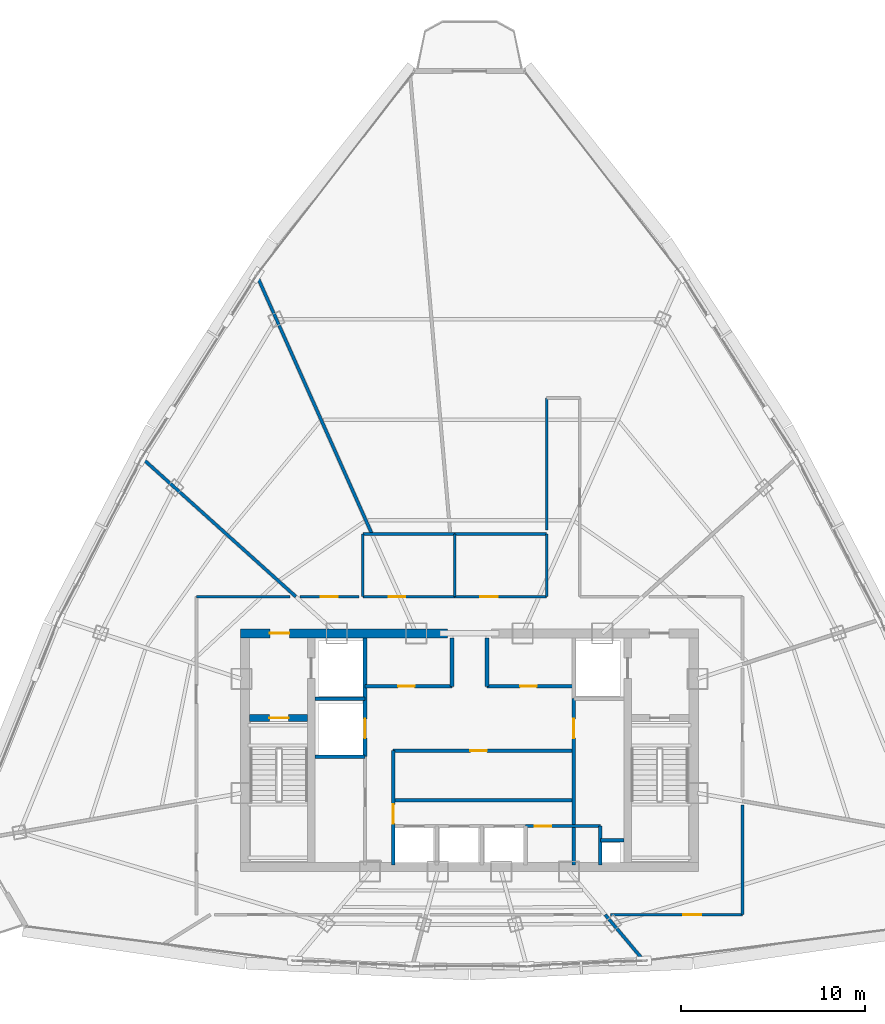
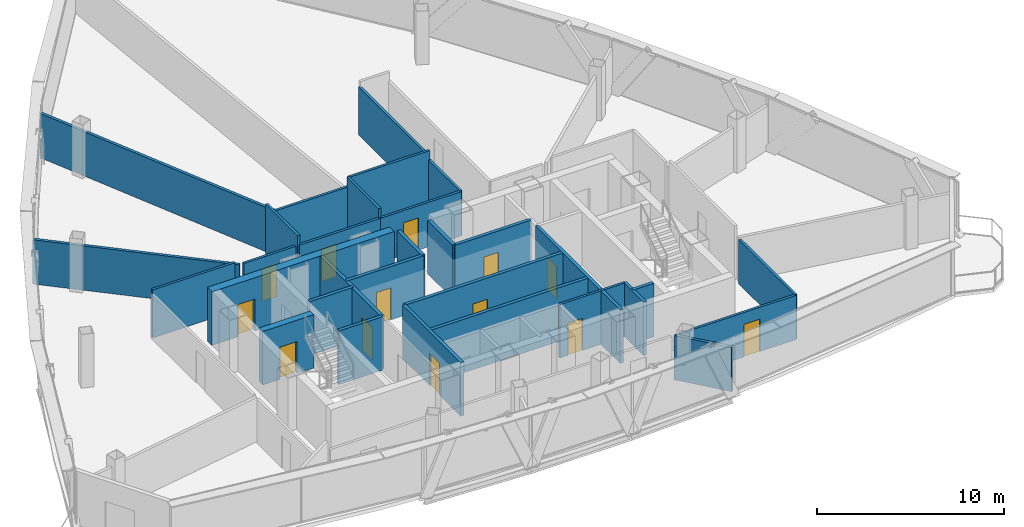
# One storey, part 26 of 30: 31 walls, 13 doors, 13 openings.
"""IFC4 building model written with IfcOpenShell, lengths in metres."""

from ifc_helpers import new_model, si_unit, direction, frame, frame_2d, origin, origin_with_axes, place, context, subcontext, project, spatial, rectangle, extrude, source, transform, mapped, material, layer, layer_set, type_object, element, fill, save


model = new_model("IFC4")

# Units and contexts
model_context = context("Model", 3, precision=1e-05, world=origin(), true_north=direction((0.0, 1.0)))
body_context = subcontext(model_context, "Body", "Model", "MODEL_VIEW")
ifc_project = project(units=[si_unit("LENGTHUNIT", "METRE"), si_unit("AREAUNIT", "SQUARE_METRE"), si_unit("VOLUMEUNIT", "CUBIC_METRE"), si_unit("PLANEANGLEUNIT", "RADIAN"), si_unit("MASSUNIT", "GRAM", prefix="KILO"), si_unit("THERMODYNAMICTEMPERATUREUNIT", "KELVIN"), si_unit("POWERUNIT", "WATT")], contexts=[model_context])

# Site, building, storey
site_placement = place(None, origin())
site = spatial("IfcSite", under=ifc_project, at=site_placement, CompositionType="ELEMENT")
building_placement = place(site_placement, origin())
building = spatial("IfcBuilding", under=site, at=building_placement, Name="Yunzhuo Pagoda Commons", CompositionType="ELEMENT")
storey_placement = place(building_placement, frame((0.0, 0.0, 351.760009765625)))
storey = spatial("IfcBuildingStorey", under=building, at=storey_placement, Name="L88", CompositionType="ELEMENT", Elevation=351.760009765625)

# Wall, opening, door
ifc_material_1 = material(Name="Concrete C50", Category="concrete")
ifc_layer_1 = layer(ifc_material_1, 0.5)
ifc_layer_set_1 = layer_set([ifc_layer_1], Name="Concrete C50")
wall_type_1 = type_object("IfcWallType", Name="W-C03 Upper Core Shear Wall 500", PredefinedType="SHEAR", material=ifc_layer_set_1)
wall_1_placement = place(storey_placement, frame((35.550048828125, 40.199951171875, 0.0), z_axis=(0.0, 0.0, 1.0), x_axis=(1.0, 0.0, 0.0)))
wall_1 = element("IfcWall", 1, at=wall_1_placement, inside=storey, type_object=wall_type_1, Name="L88 core shear wall NW", PredefinedType="SHEAR", context=body_context, shape_type="SweptSolid", body=[
    extrude(rectangle(XDim=11.25, YDim=0.5, at=frame_2d((5.625, 0.0))), origin(), (0.0, 0.0, 1.0), 3.489990234375),
])
opening_1_placement = place(wall_1_placement, frame((1.60009765625, 0.0, 0.0)))
opening_1 = element("IfcOpeningElement", 2, at=opening_1_placement, cuts=wall_1, Name="Opening D-02", PredefinedType="OPENING", context=body_context, shape_type="SweptSolid", body=[
    extrude(rectangle(XDim=1.050048828125, YDim=2.10009765625, at=frame_2d((0.52490234375, 1.050048828125))), frame((0.0, 0.260009765625, 0.0), z_axis=(0.0, -1.0, 0.0), x_axis=(1.0, 0.0, 0.0)), (0.0, 0.0, 1.0), 0.52001953125),
])
ifc_material_2 = material(Name="Galvanized fire-resisting metal leaf")
door_type_1 = type_object("IfcDoorType", Name="D-02 Firefighting Lobby & Refuge Fire Door 1050x2100", OperationType="NOTDEFINED", PredefinedType="DOOR", material=ifc_material_2)
shared_shape_1 = source(origin(), body_context, "Body", "SweptSolid", [
    extrude(rectangle(XDim=1.050048828125, YDim=2.10009765625, at=frame_2d((0.52490234375, 1.050048828125))), frame((0.0, 0.02490234375, 0.0), z_axis=(0.0, -1.0, 0.0), x_axis=(1.0, 0.0, 0.0)), (0.0, 0.0, 1.0), 0.050048828125),
])
door_1_placement = place(opening_1_placement, frame((1.050048828125, 0.0, 0.0), z_axis=(0.0, 0.0, 1.0), x_axis=(-1.0, 0.0, 0.0)))
door_1 = element("IfcDoor", 3, at=door_1_placement, inside=storey, type_object=door_type_1, Name="L88 Firefighting Lobby 1 fire door", OperationType="SINGLE_SWING_LEFT", OverallHeight=2.10009765625, OverallWidth=1.050048828125, PredefinedType="DOOR", context=body_context, shape_type="MappedRepresentation", body=[
    mapped(shared_shape_1, transform((0.0, 0.0, 0.0), scale=1.0)),
])
fill(opening_1, door_1)

ifc_material_3 = material(Name="Gypsum plasterboard on acoustic stud")
ifc_layer_2 = layer(ifc_material_3, 0.14990234375)
ifc_layer_set_2 = layer_set([ifc_layer_2], Name="Gypsum plasterboard on acoustic stud")
wall_type_2 = type_object("IfcWallType", Name="W-COR3 High-Zone Rated Corridor Wall 150", PredefinedType="PARTITIONING", material=ifc_layer_set_2)
wall_2_placement = place(storey_placement, frame((51.050048828125, 29.719970703125, 0.0), z_axis=(0.0, 0.0, 1.0), x_axis=(1.0, 0.0, 0.0)))
wall_2 = element("IfcWall", 4, at=wall_2_placement, inside=storey, type_object=wall_type_2, Name="L88 interior wall IW-L88-CSES", PredefinedType="PARTITIONING", context=body_context, shape_type="SweptSolid", body=[
    extrude(rectangle(XDim=4.070068359375, YDim=0.14990234375, at=frame_2d((2.03515625, 0.0))), origin(), (0.0, 0.0, 1.0), 3.489990234375),
])
opening_2_placement = place(wall_2_placement, frame((0.5, 0.0, 0.0)))
opening_2 = element("IfcOpeningElement", 5, at=opening_2_placement, cuts=wall_2, Name="Opening D-03", PredefinedType="OPENING", context=body_context, shape_type="SweptSolid", body=[
    extrude(rectangle(XDim=0.89990234375, YDim=2.10009765625, at=frame_2d((0.449951171875, 1.050048828125))), frame((0.0, 0.0849609375, 0.0), z_axis=(0.0, -1.0, 0.0), x_axis=(1.0, 0.0, 0.0)), (0.0, 0.0, 1.0), 0.169921875),
])
door_type_2 = type_object("IfcDoorType", Name="D-03 Core Service Fire Door 900x2100", OperationType="NOTDEFINED", PredefinedType="DOOR", material=ifc_material_2)
shared_shape_2 = source(origin(), body_context, "Body", "SweptSolid", [
    extrude(rectangle(XDim=0.89990234375, YDim=2.10009765625, at=frame_2d((0.449951171875, 1.050048828125))), frame((0.0, 0.02490234375, 0.0), z_axis=(0.0, -1.0, 0.0), x_axis=(1.0, 0.0, 0.0)), (0.0, 0.0, 1.0), 0.050048828125),
])
door_2_placement = place(opening_2_placement, origin_with_axes())
door_2 = element("IfcDoor", 6, at=door_2_placement, inside=storey, type_object=door_type_2, Name="L88 cleaner store door", OperationType="SINGLE_SWING_LEFT", OverallHeight=2.10009765625, OverallWidth=0.89990234375, PredefinedType="DOOR", context=body_context, shape_type="MappedRepresentation", body=[
    mapped(shared_shape_2, transform((0.0, 0.0, 0.0), scale=1.0)),
])
fill(opening_2, door_2)

wall_3_placement = place(storey_placement, frame((42.199951171875, 42.199951171875, 0.0), z_axis=(0.0, 0.0, 1.0), x_axis=(1.0, 0.0, 0.0)))
wall_3 = element("IfcWall", 7, at=wall_3_placement, inside=storey, type_object=wall_type_2, Name="L88 interior wall IW-L88-TFWS", PredefinedType="PARTITIONING", context=body_context, shape_type="SweptSolid", body=[
    extrude(rectangle(XDim=5.0, YDim=0.14990234375, at=frame_2d((2.5, 0.0))), origin(), (0.0, 0.0, 1.0), 2.889892578125),
])
opening_3_placement = place(wall_3_placement, frame((1.39990234375, 0.0, 0.0)))
opening_3 = element("IfcOpeningElement", 8, at=opening_3_placement, cuts=wall_3, Name="Opening D-04", PredefinedType="OPENING", context=body_context, shape_type="SweptSolid", body=[
    extrude(rectangle(XDim=0.919921875, YDim=2.10009765625, at=frame_2d((0.4599609375, 1.050048828125))), frame((0.0, 0.0849609375, 0.0), z_axis=(0.0, -1.0, 0.0), x_axis=(1.0, 0.0, 0.0)), (0.0, 0.0, 1.0), 0.169921875),
])
ifc_material_4 = material(Name="Powder-coated aluminium and timber acoustic leaf", Category="wood")
door_type_3 = type_object("IfcDoorType", Name="D-04 Bedroom & Study Interior Door 920x2100", OperationType="NOTDEFINED", PredefinedType="DOOR", material=ifc_material_4)
shared_shape_3 = source(origin(), body_context, "Body", "SweptSolid", [
    extrude(rectangle(XDim=0.919921875, YDim=2.10009765625, at=frame_2d((0.4599609375, 1.050048828125))), frame((0.0, 0.02490234375, 0.0), z_axis=(0.0, -1.0, 0.0), x_axis=(1.0, 0.0, 0.0)), (0.0, 0.0, 1.0), 0.050048828125),
])
door_3_placement = place(opening_3_placement, frame((0.919921875, 0.0, 0.0), z_axis=(0.0, 0.0, 1.0), x_axis=(-1.0, 0.0, 0.0)))
door_3 = element("IfcDoor", 9, at=door_3_placement, inside=storey, type_object=door_type_3, Name="L88 laundry door", OperationType="SINGLE_SWING_LEFT", OverallHeight=2.10009765625, OverallWidth=0.919921875, PredefinedType="DOOR", context=body_context, shape_type="MappedRepresentation", body=[
    mapped(shared_shape_3, transform((0.0, 0.0, 0.0), scale=1.0)),
])
fill(opening_3, door_3)

# Walls
wall_4_placement = place(storey_placement, frame((42.199951171875, 45.60009765625, 0.0), z_axis=(0.0, 0.0, 1.0), x_axis=(1.0, 0.0, 0.0)))
element("IfcWall", 10, at=wall_4_placement, inside=storey, type_object=wall_type_2, Name="L88 interior wall IW-L88-TFWN", PredefinedType="PARTITIONING", context=body_context, shape_type="SweptSolid", body=[
    extrude(rectangle(XDim=5.0, YDim=0.14990234375, at=frame_2d((2.5, 0.0))), origin(), (0.0, 0.0, 1.0), 2.889892578125),
])
wall_5_placement = place(storey_placement, frame((42.199951171875, 42.199951171875, 0.0), z_axis=(0.0, 0.0, 1.0), x_axis=(0.0, 1.0, 0.0)))
element("IfcWall", 11, at=wall_5_placement, inside=storey, type_object=wall_type_2, Name="L88 interior wall IW-L88-TFWW", PredefinedType="PARTITIONING", context=body_context, shape_type="SweptSolid", body=[
    extrude(rectangle(XDim=3.400146484375, YDim=0.14990234375, at=frame_2d((1.7001953125, 0.0))), origin(), (0.0, 0.0, 1.0), 3.489990234375),
])

# Wall, opening, door
wall_6_placement = place(storey_placement, frame((47.199951171875, 42.199951171875, 0.0), z_axis=(0.0, 0.0, 1.0), x_axis=(1.0, 0.0, 0.0)))
wall_6 = element("IfcWall", 12, at=wall_6_placement, inside=storey, type_object=wall_type_2, Name="L88 interior wall IW-L88-TFES", PredefinedType="PARTITIONING", context=body_context, shape_type="SweptSolid", body=[
    extrude(rectangle(XDim=5.0, YDim=0.14990234375, at=frame_2d((2.5, 0.0))), origin(), (0.0, 0.0, 1.0), 2.889892578125),
])
opening_4_placement = place(wall_6_placement, frame((1.39990234375, 0.0, 0.0)))
opening_4 = element("IfcOpeningElement", 13, at=opening_4_placement, cuts=wall_6, Name="Opening D-11", PredefinedType="OPENING", context=body_context, shape_type="SweptSolid", body=[
    extrude(rectangle(XDim=0.93994140625, YDim=2.10009765625, at=frame_2d((0.469970703125, 1.050048828125))), frame((0.0, 0.0849609375, 0.0), z_axis=(0.0, -1.0, 0.0), x_axis=(1.0, 0.0, 0.0)), (0.0, 0.0, 1.0), 0.169921875),
])
door_type_4 = type_object("IfcDoorType", Name="D-11 Accessible Washroom Fire Door 940x2100", OperationType="NOTDEFINED", PredefinedType="DOOR", material=ifc_material_2)
shared_shape_4 = source(origin(), body_context, "Body", "SweptSolid", [
    extrude(rectangle(XDim=0.93994140625, YDim=2.10009765625, at=frame_2d((0.469970703125, 1.050048828125))), frame((0.0, 0.02490234375, 0.0), z_axis=(0.0, -1.0, 0.0), x_axis=(1.0, 0.0, 0.0)), (0.0, 0.0, 1.0), 0.050048828125),
])
door_4_placement = place(opening_4_placement, frame((0.93994140625, 0.0, 0.0), z_axis=(0.0, 0.0, 1.0), x_axis=(-1.0, 0.0, 0.0)))
door_4 = element("IfcDoor", 14, at=door_4_placement, inside=storey, type_object=door_type_4, Name="L88 accessible WC door", OperationType="SINGLE_SWING_RIGHT", OverallHeight=2.10009765625, OverallWidth=0.93994140625, PredefinedType="DOOR", context=body_context, shape_type="MappedRepresentation", body=[
    mapped(shared_shape_4, transform((0.0, 0.0, 0.0), scale=1.0)),
])
fill(opening_4, door_4)

# Walls
wall_7_placement = place(storey_placement, frame((47.199951171875, 45.60009765625, 0.0), z_axis=(0.0, 0.0, 1.0), x_axis=(1.0, 0.0, 0.0)))
element("IfcWall", 15, at=wall_7_placement, inside=storey, type_object=wall_type_2, Name="L88 interior wall IW-L88-TFEN", PredefinedType="PARTITIONING", context=body_context, shape_type="SweptSolid", body=[
    extrude(rectangle(XDim=5.0, YDim=0.14990234375, at=frame_2d((2.5, 0.0))), origin(), (0.0, 0.0, 1.0), 3.489990234375),
])
wall_8_placement = place(storey_placement, frame((47.199951171875, 42.199951171875, 0.0), z_axis=(0.0, 0.0, 1.0), x_axis=(0.0, 1.0, 0.0)))
element("IfcWall", 16, at=wall_8_placement, inside=storey, type_object=wall_type_2, Name="L88 interior wall IW-L88-TFEW", PredefinedType="PARTITIONING", context=body_context, shape_type="SweptSolid", body=[
    extrude(rectangle(XDim=3.400146484375, YDim=0.14990234375, at=frame_2d((1.7001953125, 0.0))), origin(), (0.0, 0.0, 1.0), 3.489990234375),
])
wall_9_placement = place(storey_placement, frame((52.199951171875, 42.199951171875, 0.0), z_axis=(0.0, 0.0, 1.0), x_axis=(0.0, 1.0, 0.0)))
element("IfcWall", 17, at=wall_9_placement, inside=storey, type_object=wall_type_2, Name="L88 interior wall IW-L88-TFEE", PredefinedType="PARTITIONING", context=body_context, shape_type="SweptSolid", body=[
    extrude(rectangle(XDim=3.400146484375, YDim=0.14990234375, at=frame_2d((1.7001953125, 0.0))), origin(), (0.0, 0.0, 1.0), 2.889892578125),
])
wall_10_placement = place(storey_placement, frame((33.14990234375, 42.199951171875, 0.0), z_axis=(0.0, 0.0, 1.0), x_axis=(1.0, 0.0, 0.0)))
element("IfcWall", 18, at=wall_10_placement, inside=storey, type_object=wall_type_2, Name="L88 interior wall IW-L88-CWL03", PredefinedType="PARTITIONING", context=body_context, shape_type="SweptSolid", body=[
    extrude(rectangle(XDim=5.0810546875, YDim=0.14990234375, at=frame_2d((2.54052734375, 0.0))), origin(), (0.0, 0.0, 1.0), 3.139892578125),
])

# Wall, opening, door
wall_11_placement = place(storey_placement, frame((38.779541015625, 42.199951171875, 0.0), z_axis=(0.0, 0.0, 1.0), x_axis=(1.0, 0.0, 0.0)))
wall_11 = element("IfcWall", 19, at=wall_11_placement, inside=storey, type_object=wall_type_2, Name="L88 interior wall IW-L88-CWL04", PredefinedType="PARTITIONING", context=body_context, shape_type="SweptSolid", body=[
    extrude(rectangle(XDim=3.200439453125, YDim=0.14990234375, at=frame_2d((1.60009765625, 0.0))), origin(), (0.0, 0.0, 1.0), 2.889892578125),
])
opening_5_placement = place(wall_11_placement, frame((1.140380859375, 0.0, 0.0)))
opening_5 = element("IfcOpeningElement", 20, at=opening_5_placement, cuts=wall_11, Name="Opening D-04", PredefinedType="OPENING", context=body_context, shape_type="SweptSolid", body=[
    extrude(rectangle(XDim=0.919921875, YDim=2.10009765625, at=frame_2d((0.4599609375, 1.050048828125))), frame((0.0, 0.0849609375, 0.0), z_axis=(0.0, -1.0, 0.0), x_axis=(1.0, 0.0, 0.0)), (0.0, 0.0, 1.0), 0.169921875),
])
door_5_placement = place(opening_5_placement, origin_with_axes())
door_5 = element("IfcDoor", 21, at=door_5_placement, inside=storey, type_object=door_type_3, Name="L88 seminar room 05 door", OperationType="SINGLE_SWING_LEFT", OverallHeight=2.10009765625, OverallWidth=0.919921875, PredefinedType="DOOR", context=body_context, shape_type="MappedRepresentation", body=[
    mapped(shared_shape_3, transform((0.0, 0.0, 0.0), scale=1.0)),
])
fill(opening_5, door_5)

# Walls
wall_12_placement = place(storey_placement, frame((52.199951171875, 45.820068359375, 0.0), z_axis=(0.0, 0.0, 1.0), x_axis=(0.0, 1.0, 0.0)))
element("IfcWall", 22, at=wall_12_placement, inside=storey, type_object=wall_type_2, Name="L88 interior wall IW-L88-CWL05", PredefinedType="PARTITIONING", context=body_context, shape_type="SweptSolid", body=[
    extrude(rectangle(XDim=7.179931640625, YDim=0.14990234375, at=frame_2d((3.58984375, 0.0))), origin(), (0.0, 0.0, 1.0), 3.139892578125),
])
wall_13_placement = place(storey_placement, frame((62.85009765625, 30.858154296875, 0.0), z_axis=(0.0, 0.0, 1.0), x_axis=(0.0, -1.0, 0.0)))
element("IfcWall", 23, at=wall_13_placement, inside=storey, type_object=wall_type_2, Name="L88 interior wall IW-L88-CWL12", PredefinedType="PARTITIONING", context=body_context, shape_type="SweptSolid", body=[
    extrude(rectangle(XDim=5.958251953125, YDim=0.14990234375, at=frame_2d((2.97900390625, 0.0))), origin(), (0.0, 0.0, 1.0), 2.889892578125),
])

# Wall, opening, door
wall_14_placement = place(storey_placement, frame((62.85009765625, 24.89990234375, 0.0), z_axis=(0.0, 0.0, 1.0), x_axis=(-1.0, 0.0, 0.0)))
wall_14 = element("IfcWall", 24, at=wall_14_placement, inside=storey, type_object=wall_type_2, Name="L88 interior wall IW-L88-CWL13", PredefinedType="PARTITIONING", context=body_context, shape_type="SweptSolid", body=[
    extrude(rectangle(XDim=7.1787109375, YDim=0.14990234375, at=frame_2d((3.58935546875, 0.0))), origin(), (0.0, 0.0, 1.0), 2.889892578125),
])
opening_6_placement = place(wall_14_placement, frame((2.250244140625, 0.0, 0.0)))
opening_6 = element("IfcOpeningElement", 25, at=opening_6_placement, cuts=wall_14, Name="Opening D-08", PredefinedType="OPENING", context=body_context, shape_type="SweptSolid", body=[
    extrude(rectangle(XDim=0.97998046875, YDim=2.1201171875, at=frame_2d((0.489990234375, 1.06005859375))), frame((0.0, 0.0849609375, 0.0), z_axis=(0.0, -1.0, 0.0), x_axis=(1.0, 0.0, 0.0)), (0.0, 0.0, 1.0), 0.169921875),
])
door_type_5 = type_object("IfcDoorType", Name="D-08 High-Zone Suite Entrance Fire Door 980x2120", OperationType="NOTDEFINED", PredefinedType="DOOR", material=ifc_material_2)
shared_shape_5 = source(origin(), body_context, "Body", "SweptSolid", [
    extrude(rectangle(XDim=0.97998046875, YDim=2.1201171875, at=frame_2d((0.489990234375, 1.06005859375))), frame((0.0, 0.02490234375, 0.0), z_axis=(0.0, -1.0, 0.0), x_axis=(1.0, 0.0, 0.0)), (0.0, 0.0, 1.0), 0.050048828125),
])
door_6_placement = place(opening_6_placement, origin_with_axes())
door_6 = element("IfcDoor", 26, at=door_6_placement, inside=storey, type_object=door_type_5, Name="L88 unit 10 entrance door", OperationType="SINGLE_SWING_RIGHT", OverallHeight=2.1201171875, OverallWidth=0.97998046875, PredefinedType="DOOR", context=body_context, shape_type="MappedRepresentation", body=[
    mapped(shared_shape_5, transform((0.0, 0.0, 0.0), scale=1.0)),
])
fill(opening_6, door_6)

# Walls
ifc_layer_3 = layer(ifc_material_3, 0.169921875)
ifc_layer_set_3 = layer_set([ifc_layer_3], Name="Gypsum plasterboard on acoustic stud")
wall_type_3 = type_object("IfcWallType", Name="W-PRT4 High-Zone Demising Wall 170", PredefinedType="PARTITIONING", material=ifc_layer_set_3)
wall_15_placement = place(storey_placement, frame((42.701904296875, 45.60009765625, 0.0), z_axis=(0.0, 0.0, 1.0), x_axis=(-0.40675369263, 0.913537866501, 0.0)))
element("IfcWall", 27, at=wall_15_placement, inside=storey, type_object=wall_type_3, Name="L88 interior wall IW-L88-RAD04", PredefinedType="PARTITIONING", context=body_context, shape_type="SweptSolid", body=[
    extrude(rectangle(XDim=15.425048828125, YDim=0.169921875, at=frame_2d((7.71240234375, 0.0))), origin(), (0.0, 0.0, 1.0), 2.889892578125),
])
wall_16_placement = place(storey_placement, frame((38.559814453125, 42.199951171875, 0.0), z_axis=(0.0, 0.0, 1.0), x_axis=(-0.74314133574, 0.669134482085, 0.0)))
element("IfcWall", 28, at=wall_16_placement, inside=storey, type_object=wall_type_3, Name="L88 interior wall IW-L88-RAD05", PredefinedType="PARTITIONING", context=body_context, shape_type="SweptSolid", body=[
    extrude(rectangle(XDim=11.2822265625, YDim=0.169921875, at=frame_2d((5.64111328125, 0.0))), origin(), (0.0, 0.0, 1.0), 2.889892578125),
])
wall_17_placement = place(storey_placement, frame((55.384033203125, 24.89990234375, 0.0), z_axis=(0.0, 0.0, 1.0), x_axis=(0.642829818613, -0.766009023642, 0.0)))
element("IfcWall", 29, at=wall_17_placement, inside=storey, type_object=wall_type_3, Name="L88 interior wall IW-L88-RAD09", PredefinedType="PARTITIONING", context=body_context, shape_type="SweptSolid", body=[
    extrude(rectangle(XDim=3.272216796875, YDim=0.169921875, at=frame_2d((1.63623046875, 0.0))), origin(), (0.0, 0.0, 1.0), 2.889892578125),
])

# Wall, opening, door
ifc_material_5 = material(Name="Concrete C60", Category="concrete")
ifc_layer_4 = layer(ifc_material_5, 0.39990234375)
ifc_layer_set_4 = layer_set([ifc_layer_4], Name="Concrete C60")
wall_type_4 = type_object("IfcWallType", Name="W-S01 Internal Core Shear Web 400", PredefinedType="SHEAR", material=ifc_layer_set_4)
wall_18_placement = place(storey_placement, frame((36.050048828125, 35.60009765625, 0.0), z_axis=(0.0, 0.0, 1.0), x_axis=(1.0, 0.0, 0.0)))
wall_18 = element("IfcWall", 30, at=wall_18_placement, inside=storey, type_object=wall_type_4, Name="L88 core shear wall STW", PredefinedType="SHEAR", context=body_context, shape_type="SweptSolid", body=[
    extrude(rectangle(XDim=3.14990234375, YDim=0.39990234375, at=frame_2d((1.574951171875, 0.0))), origin(), (0.0, 0.0, 1.0), 3.489990234375),
])
opening_7_placement = place(wall_18_placement, frame((1.070068359375, 0.0, 0.0)))
opening_7 = element("IfcOpeningElement", 31, at=opening_7_placement, cuts=wall_18, Name="Opening D-01", PredefinedType="OPENING", context=body_context, shape_type="SweptSolid", body=[
    extrude(rectangle(XDim=1.050048828125, YDim=2.10009765625, at=frame_2d((0.52490234375, 1.050048828125))), frame((0.0, 0.2099609375, 0.0), z_axis=(0.0, -1.0, 0.0), x_axis=(1.0, 0.0, 0.0)), (0.0, 0.0, 1.0), 0.419921875),
])
door_type_6 = type_object("IfcDoorType", Name="D-01 Smokeproof Stair Fire Door 1050x2100", OperationType="NOTDEFINED", PredefinedType="DOOR", material=ifc_material_2)
door_7_placement = place(opening_7_placement, frame((1.050048828125, 0.0, 0.0), z_axis=(0.0, 0.0, 1.0), x_axis=(-1.0, 0.0, 0.0)))
door_7 = element("IfcDoor", 32, at=door_7_placement, inside=storey, type_object=door_type_6, Name="L88 Stair ST1 fire door", OperationType="SINGLE_SWING_LEFT", OverallHeight=2.10009765625, OverallWidth=1.050048828125, PredefinedType="DOOR", context=body_context, shape_type="MappedRepresentation", body=[
    mapped(shared_shape_1, transform((0.0, 0.0, 0.0), scale=1.0)),
])
fill(opening_7, door_7)

ifc_material_6 = material(Name="Concrete C40", Category="concrete")
ifc_layer_5 = layer(ifc_material_6, 0.199951171875)
ifc_layer_set_5 = layer_set([ifc_layer_5], Name="Concrete C40")
wall_type_5 = type_object("IfcWallType", Name="W-SHF Shaft & Stair Enclosure Wall 200", PredefinedType="SOLIDWALL", material=ifc_layer_set_5)
wall_19_placement = place(storey_placement, frame((42.320068359375, 33.5, 0.0), z_axis=(0.0, 0.0, 1.0), x_axis=(0.0, 1.0, 0.0)))
wall_19 = element("IfcWall", 33, at=wall_19_placement, inside=storey, type_object=wall_type_5, Name="L88 interior wall IW-L88-FL1E", PredefinedType="SOLIDWALL", context=body_context, shape_type="SweptSolid", body=[
    extrude(rectangle(XDim=6.449951171875, YDim=0.199951171875, at=frame_2d((3.22509765625, 0.0))), origin(), (0.0, 0.0, 1.0), 3.489990234375),
])
opening_8_placement = place(wall_19_placement, frame((1.0, 0.0, 0.0)))
opening_8 = element("IfcOpeningElement", 34, at=opening_8_placement, cuts=wall_19, Name="Opening LD-02", PredefinedType="OPENING", context=body_context, shape_type="SweptSolid", body=[
    extrude(rectangle(XDim=1.050048828125, YDim=2.10009765625, at=frame_2d((0.52490234375, 1.050048828125))), frame((0.0, 0.10986328125, 0.0), z_axis=(0.0, -1.0, 0.0), x_axis=(1.0, 0.0, 0.0)), (0.0, 0.0, 1.0), 0.219970703125),
])
door_type_7 = type_object("IfcDoorType", Name="LD-02 Passenger Lift Landing Door 1050x2100", OperationType="DOUBLE_DOOR_SLIDING", PredefinedType="DOOR", material=ifc_material_2)
door_8_placement = place(opening_8_placement, origin_with_axes())
door_8 = element("IfcDoor", 35, at=door_8_placement, inside=storey, type_object=door_type_7, Name="L88 Service lift SL-1 landing door", OperationType="DOUBLE_DOOR_SLIDING", OverallHeight=2.10009765625, OverallWidth=1.050048828125, PredefinedType="DOOR", context=body_context, shape_type="MappedRepresentation", body=[
    mapped(shared_shape_1, transform((0.0, 0.0, 0.0), scale=1.0)),
])
fill(opening_8, door_8)

# Walls
for number, where, z_axis, x_axis, name in (
    (36, (39.60009765625, 36.64990234375, 0.0), (0.0, 0.0, 1.0), (1.0, 0.0, 0.0), "L88 interior wall IW-L88-FL1S"),
    (37, (39.60009765625, 33.5, 0.0), (0.0, 0.0, 1.0), (1.0, 0.0, 0.0), "L88 interior wall IW-L88-SL1S"),
):
    element("IfcWall", number, at=place(storey_placement, frame(where, z_axis=z_axis, x_axis=x_axis)), inside=storey, type_object=wall_type_5, Name=name, PredefinedType="SOLIDWALL", context=body_context, shape_type="SweptSolid", body=[
        extrude(rectangle(XDim=2.719970703125, YDim=0.199951171875, at=frame_2d((1.35986328125, 0.0))), origin(), (0.0, 0.0, 1.0), 3.489990234375),
    ])

# Wall, opening, door
wall_20_placement = place(storey_placement, frame((42.320068359375, 37.320068359375, 0.0), z_axis=(0.0, 0.0, 1.0), x_axis=(1.0, 0.0, 0.0)))
wall_20 = element("IfcWall", 38, at=wall_20_placement, inside=storey, type_object=wall_type_5, Name="L88 interior wall IW-L88-LBNW", PredefinedType="SOLIDWALL", context=body_context, shape_type="SweptSolid", body=[
    extrude(rectangle(XDim=4.72998046875, YDim=0.199951171875, at=frame_2d((2.364990234375, 0.0))), origin(), (0.0, 0.0, 1.0), 3.489990234375),
])
opening_9_placement = place(wall_20_placement, frame((1.800048828125, 0.0, 0.0)))
opening_9 = element("IfcOpeningElement", 39, at=opening_9_placement, cuts=wall_20, Name="Opening D-03", PredefinedType="OPENING", context=body_context, shape_type="SweptSolid", body=[
    extrude(rectangle(XDim=0.89990234375, YDim=2.10009765625, at=frame_2d((0.449951171875, 1.050048828125))), frame((0.0, 0.10986328125, 0.0), z_axis=(0.0, -1.0, 0.0), x_axis=(1.0, 0.0, 0.0)), (0.0, 0.0, 1.0), 0.219970703125),
])
door_9_placement = place(opening_9_placement, frame((0.89990234375, 0.0, 0.0), z_axis=(0.0, 0.0, 1.0), x_axis=(-1.0, 0.0, 0.0)))
door_9 = element("IfcDoor", 40, at=door_9_placement, inside=storey, type_object=door_type_2, Name="L88 core west store door", OperationType="SINGLE_SWING_LEFT", OverallHeight=2.10009765625, OverallWidth=0.89990234375, PredefinedType="DOOR", context=body_context, shape_type="MappedRepresentation", body=[
    mapped(shared_shape_2, transform((0.0, 0.0, 0.0), scale=1.0)),
])
fill(opening_9, door_9)

wall_21_placement = place(storey_placement, frame((48.949951171875, 37.320068359375, 0.0), z_axis=(0.0, 0.0, 1.0), x_axis=(1.0, 0.0, 0.0)))
wall_21 = element("IfcWall", 41, at=wall_21_placement, inside=storey, type_object=wall_type_5, Name="L88 interior wall IW-L88-LBNE", PredefinedType="SOLIDWALL", context=body_context, shape_type="SweptSolid", body=[
    extrude(rectangle(XDim=4.72998046875, YDim=0.199951171875, at=frame_2d((2.364990234375, 0.0))), origin(), (0.0, 0.0, 1.0), 3.489990234375),
])
opening_10_placement = place(wall_21_placement, frame((1.800048828125, 0.0, 0.0)))
opening_10 = element("IfcOpeningElement", 42, at=opening_10_placement, cuts=wall_21, Name="Opening D-03", PredefinedType="OPENING", context=body_context, shape_type="SweptSolid", body=[
    extrude(rectangle(XDim=0.89990234375, YDim=2.10009765625, at=frame_2d((0.449951171875, 1.050048828125))), frame((0.0, 0.10986328125, 0.0), z_axis=(0.0, -1.0, 0.0), x_axis=(1.0, 0.0, 0.0)), (0.0, 0.0, 1.0), 0.219970703125),
])
door_10_placement = place(opening_10_placement, frame((0.89990234375, 0.0, 0.0), z_axis=(0.0, 0.0, 1.0), x_axis=(-1.0, 0.0, 0.0)))
door_10 = element("IfcDoor", 43, at=door_10_placement, inside=storey, type_object=door_type_2, Name="L88 core east store door", OperationType="SINGLE_SWING_RIGHT", OverallHeight=2.10009765625, OverallWidth=0.89990234375, PredefinedType="DOOR", context=body_context, shape_type="MappedRepresentation", body=[
    mapped(shared_shape_2, transform((0.0, 0.0, 0.0), scale=1.0)),
])
fill(opening_10, door_10)

# Walls
for number, where, z_axis, x_axis, name in (
    (44, (47.050048828125, 37.320068359375, 0.0), (0.0, 0.0, 1.0), (0.0, 1.0, 0.0), "L88 interior wall IW-L88-THRW"),
    (45, (48.949951171875, 37.320068359375, 0.0), (0.0, 0.0, 1.0), (0.0, 1.0, 0.0), "L88 interior wall IW-L88-THRE"),
):
    element("IfcWall", number, at=place(storey_placement, frame(where, z_axis=z_axis, x_axis=x_axis)), inside=storey, type_object=wall_type_5, Name=name, PredefinedType="SOLIDWALL", context=body_context, shape_type="SweptSolid", body=[
        extrude(rectangle(XDim=2.6298828125, YDim=0.199951171875, at=frame_2d((1.31494140625, 0.0))), origin(), (0.0, 0.0, 1.0), 3.489990234375),
    ])

# Wall, opening, door
wall_22_placement = place(storey_placement, frame((43.85009765625, 33.820068359375, 0.0), z_axis=(0.0, 0.0, 1.0), x_axis=(1.0, 0.0, 0.0)))
wall_22 = element("IfcWall", 46, at=wall_22_placement, inside=storey, type_object=wall_type_5, Name="L88 interior wall IW-L88-MLBS", PredefinedType="SOLIDWALL", context=body_context, shape_type="SweptSolid", body=[
    extrude(rectangle(XDim=9.829833984375, YDim=0.199951171875, at=frame_2d((4.9150390625, 0.0))), origin(), (0.0, 0.0, 1.0), 3.489990234375),
])
opening_11_placement = place(wall_22_placement, frame((4.199951171875, 0.0, 0.0)))
opening_11 = element("IfcOpeningElement", 47, at=opening_11_placement, cuts=wall_22, Name="Opening D-03", PredefinedType="OPENING", context=body_context, shape_type="SweptSolid", body=[
    extrude(rectangle(XDim=0.89990234375, YDim=2.10009765625, at=frame_2d((0.449951171875, 1.050048828125))), frame((0.0, 0.10986328125, 0.0), z_axis=(0.0, -1.0, 0.0), x_axis=(1.0, 0.0, 0.0)), (0.0, 0.0, 1.0), 0.219970703125),
])
door_11_placement = place(opening_11_placement, origin_with_axes())
door_11 = element("IfcDoor", 48, at=door_11_placement, inside=storey, type_object=door_type_2, Name="L88 core archive store door", OperationType="SINGLE_SWING_LEFT", OverallHeight=2.10009765625, OverallWidth=0.89990234375, PredefinedType="DOOR", context=body_context, shape_type="MappedRepresentation", body=[
    mapped(shared_shape_2, transform((0.0, 0.0, 0.0), scale=1.0)),
])
fill(opening_11, door_11)

wall_23_placement = place(storey_placement, frame((43.85009765625, 27.60009765625, 0.0), z_axis=(0.0, 0.0, 1.0), x_axis=(0.0, 1.0, 0.0)))
wall_23 = element("IfcWall", 49, at=wall_23_placement, inside=storey, type_object=wall_type_5, Name="L88 interior wall IW-L88-PLMW", PredefinedType="SOLIDWALL", context=body_context, shape_type="SweptSolid", body=[
    extrude(rectangle(XDim=6.219970703125, YDim=0.199951171875, at=frame_2d((3.10986328125, 0.0))), origin(), (0.0, 0.0, 1.0), 3.489990234375),
])
opening_12_placement = place(wall_23_placement, frame((2.25, 0.0, 0.0)))
opening_12 = element("IfcOpeningElement", 50, at=opening_12_placement, cuts=wall_23, Name="Opening D-02", PredefinedType="OPENING", context=body_context, shape_type="SweptSolid", body=[
    extrude(rectangle(XDim=1.050048828125, YDim=2.10009765625, at=frame_2d((0.52490234375, 1.050048828125))), frame((0.0, 0.10986328125, 0.0), z_axis=(0.0, -1.0, 0.0), x_axis=(1.0, 0.0, 0.0)), (0.0, 0.0, 1.0), 0.219970703125),
])
door_12_placement = place(opening_12_placement, frame((1.050048828125, 0.0, 0.0), z_axis=(0.0, 0.0, 1.0), x_axis=(-1.0, 0.0, 0.0)))
door_12 = element("IfcDoor", 51, at=door_12_placement, inside=storey, type_object=door_type_1, Name="L88 High-bank hall west door", OperationType="SINGLE_SWING_LEFT", OverallHeight=2.10009765625, OverallWidth=1.050048828125, PredefinedType="DOOR", context=body_context, shape_type="MappedRepresentation", body=[
    mapped(shared_shape_1, transform((0.0, 0.0, 0.0), scale=1.0)),
])
fill(opening_12, door_12)

wall_24_placement = place(storey_placement, frame((53.679931640625, 27.60009765625, 0.0), z_axis=(0.0, 0.0, 1.0), x_axis=(0.0, 1.0, 0.0)))
wall_24 = element("IfcWall", 52, at=wall_24_placement, inside=storey, type_object=wall_type_5, Name="L88 interior wall IW-L88-PLME", PredefinedType="SOLIDWALL", context=body_context, shape_type="SweptSolid", body=[
    extrude(rectangle(XDim=9.0498046875, YDim=0.199951171875, at=frame_2d((4.52490234375, 0.0))), origin(), (0.0, 0.0, 1.0), 3.489990234375),
])
opening_13_placement = place(wall_24_placement, frame((6.89990234375, 0.0, 0.0)))
opening_13 = element("IfcOpeningElement", 53, at=opening_13_placement, cuts=wall_24, Name="Opening D-02", PredefinedType="OPENING", context=body_context, shape_type="SweptSolid", body=[
    extrude(rectangle(XDim=1.050048828125, YDim=2.10009765625, at=frame_2d((0.52490234375, 1.050048828125))), frame((0.0, 0.10986328125, 0.0), z_axis=(0.0, -1.0, 0.0), x_axis=(1.0, 0.0, 0.0)), (0.0, 0.0, 1.0), 0.219970703125),
])
door_13_placement = place(opening_13_placement, origin_with_axes())
door_13 = element("IfcDoor", 54, at=door_13_placement, inside=storey, type_object=door_type_1, Name="L88 High-bank lift hall door", OperationType="SINGLE_SWING_RIGHT", OverallHeight=2.10009765625, OverallWidth=1.050048828125, PredefinedType="DOOR", context=body_context, shape_type="MappedRepresentation", body=[
    mapped(shared_shape_1, transform((0.0, 0.0, 0.0), scale=1.0)),
])
fill(opening_13, door_13)

# Walls
wall_25_placement = place(storey_placement, frame((43.85009765625, 31.1201171875, 0.0), z_axis=(0.0, 0.0, 1.0), x_axis=(1.0, 0.0, 0.0)))
element("IfcWall", 55, at=wall_25_placement, inside=storey, type_object=wall_type_5, Name="L88 interior wall IW-L88-PLMS2", PredefinedType="SOLIDWALL", context=body_context, shape_type="SweptSolid", body=[
    extrude(rectangle(XDim=9.829833984375, YDim=0.199951171875, at=frame_2d((4.9150390625, 0.0))), origin(), (0.0, 0.0, 1.0), 3.489990234375),
])
wall_26_placement = place(storey_placement, frame((55.1201171875, 27.60009765625, 0.0), z_axis=(0.0, 0.0, 1.0), x_axis=(0.0, 1.0, 0.0)))
element("IfcWall", 56, at=wall_26_placement, inside=storey, type_object=wall_type_5, Name="L88 interior wall IW-L88-RSHFW", PredefinedType="SOLIDWALL", context=body_context, shape_type="SweptSolid", body=[
    extrude(rectangle(XDim=2.119873046875, YDim=0.199951171875, at=frame_2d((1.06005859375, 0.0))), origin(), (0.0, 0.0, 1.0), 3.489990234375),
])
wall_27_placement = place(storey_placement, frame((55.1201171875, 28.949951171875, 0.0), z_axis=(0.0, 0.0, 1.0), x_axis=(1.0, 0.0, 0.0)))
element("IfcWall", 57, at=wall_27_placement, inside=storey, type_object=wall_type_5, Name="L88 interior wall IW-L88-RSHFN", PredefinedType="SOLIDWALL", context=body_context, shape_type="SweptSolid", body=[
    extrude(rectangle(XDim=1.27978515625, YDim=0.199951171875, at=frame_2d((0.639892578125, 0.0))), origin(), (0.0, 0.0, 1.0), 3.489990234375),
])

save(model, "model.ifc")
